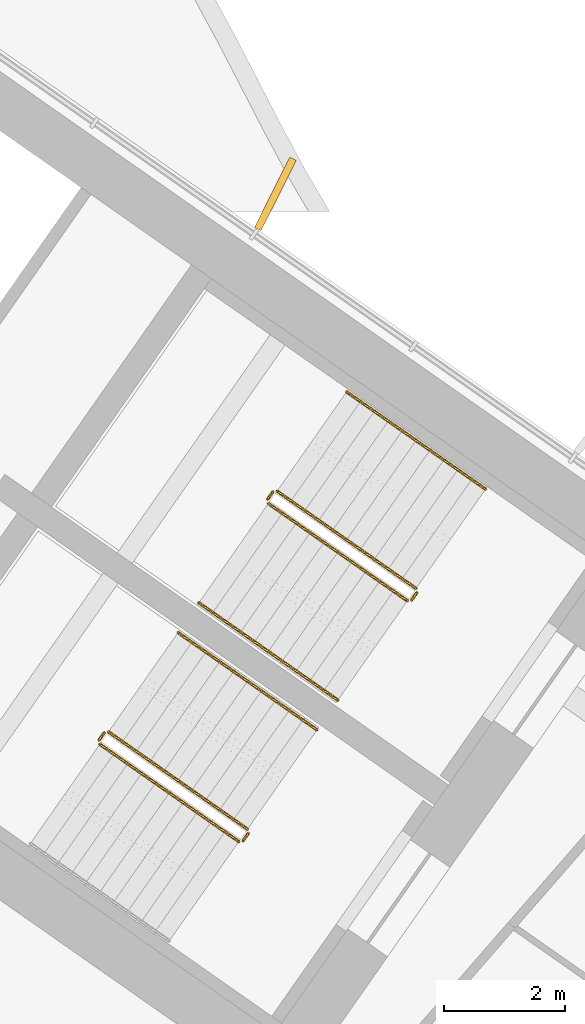
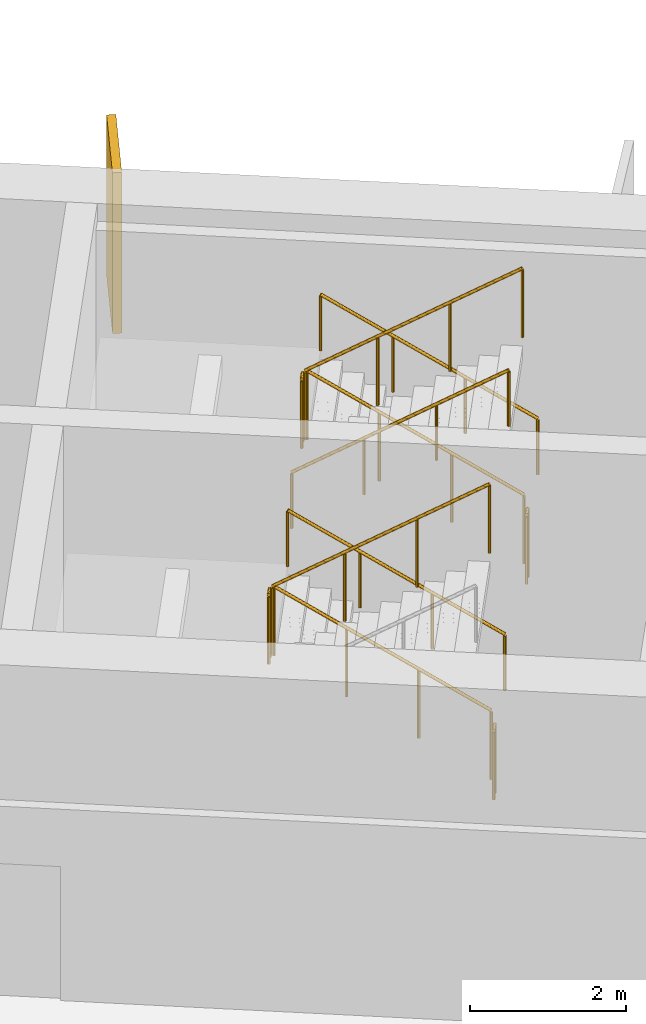
# One storey, part 22 of 23: 11 railings, 1 shading device.
"""IFC4 building model written with IfcOpenShell, lengths in metres."""

from ifc_helpers import new_model, si_unit, direction, frame, origin, origin_2d, place, context, subcontext, project, spatial, rectangle, circle, extrude, material, layer, layer_set, type_object, element, save


model = new_model("IFC4")

# Units and contexts
model_context = context("Model", 3, precision=1e-05, world=origin(), true_north=direction((0.0, 1.0)))
body_context = subcontext(model_context, "Body", "Model", "MODEL_VIEW")
ifc_project = project(units=[si_unit("LENGTHUNIT", "METRE"), si_unit("AREAUNIT", "SQUARE_METRE"), si_unit("VOLUMEUNIT", "CUBIC_METRE"), si_unit("PLANEANGLEUNIT", "RADIAN"), si_unit("MASSUNIT", "GRAM", prefix="KILO")], contexts=[model_context])

# Site, building, storey
site_placement = place(None, origin())
site = spatial("IfcSite", under=ifc_project, at=site_placement, CompositionType="ELEMENT")
building_placement = place(site_placement, origin())
building = spatial("IfcBuilding", under=site, at=building_placement, Name="Tel Ilan Convention Tower", CompositionType="ELEMENT")
storey_placement = place(building_placement, frame((0.0, 0.0, 182.699951171875)))
storey = spatial("IfcBuildingStorey", under=building, at=storey_placement, Name="L42", CompositionType="ELEMENT", Elevation=182.699951171875)

# Shading device
ifc_material_1 = material(Name="Aluminium, bronze anodised", Category="aluminium")
ifc_layer = layer(ifc_material_1, 0.1201171875)
ifc_layer_set = layer_set([ifc_layer], Name="FIN BRONZE 1300x120")
shading_device_type = type_object("IfcShadingDeviceType", Name="FIN BRONZE 1300x120", PredefinedType="USERDEFINED", material=ifc_layer_set)
shading_device_placement = place(storey_placement, frame((21.357421875, -1.34130859375, 1.10009765625), z_axis=(0.0, 0.0, 1.0), x_axis=(0.448799180206, 0.893632640321, 0.0)))
element("IfcShadingDevice", 1, at=shading_device_placement, inside=storey, type_object=shading_device_type, Name="FIN", ObjectType="FIN", PredefinedType="USERDEFINED", context=body_context, shape_type="SweptSolid", body=[
    extrude(rectangle(XDim=1.300048828125, YDim=0.1201171875, at=origin_2d()), origin(), (0.0, 0.0, 1.0), 2.52001953125),
])

# Railings
ifc_material_2 = material(Name="Stainless Steel Grade 316", Category="steel")
railing_type_1 = type_object("IfcRailingType", Name="Stainless Steel Stair Guard 1100 mm", PredefinedType="GUARDRAIL", material=ifc_material_2)
railing_1_placement = place(storey_placement, frame((23.6787109375, -7.8515625, 0.17724609375)))
element("IfcRailing", 2, at=railing_1_placement, inside=storey, type_object=railing_type_1, Name="L42 S3 stair guard 1", PredefinedType="GUARDRAIL", context=body_context, shape_type="SweptSolid", body=[
    extrude(circle(Radius=0.02392578125, at=origin_2d()), frame((0.0, 0.0, 1.076171875), z_axis=(-0.692084706163, 0.484621375041, 0.534940073605), x_axis=(-0.573591086599, -0.819141785879, 0.0)), (0.0, 0.0, 1.0), 3.313720703125),
    extrude(circle(Radius=0.02099609375, at=origin_2d()), origin(), (0.0, 0.0, 1.0), 1.052001953125),
    extrude(circle(Radius=0.02099609375, at=origin_2d()), frame((-0.764404296875, 0.535400390625, 0.5908203125)), (0.0, 0.0, 1.0), 1.052001953125),
    extrude(circle(Radius=0.02099609375, at=origin_2d()), frame((-1.529052734375, 1.070556640625, 1.181884765625)), (0.0, 0.0, 1.0), 1.052001953125),
    extrude(circle(Radius=0.02099609375, at=origin_2d()), frame((-2.29345703125, 1.60595703125, 1.772705078125)), (0.0, 0.0, 1.0), 1.052001953125),
])
railing_2_placement = place(storey_placement, frame((21.3154296875, -6.2578125, 1.949951171875)))
element("IfcRailing", 3, at=railing_2_placement, inside=storey, type_object=railing_type_1, Name="L42 S3 stair guard 2", PredefinedType="GUARDRAIL", context=body_context, shape_type="SweptSolid", body=[
    extrude(circle(Radius=0.02392578125, at=origin_2d()), frame((0.0, 0.0, 1.076171875), z_axis=(-0.573353020881, -0.819308436089, 0.0), x_axis=(0.819308436089, -0.573353020881, 0.0)), (0.0, 0.0, 1.0), 0.14990234375),
    extrude(circle(Radius=0.02099609375, at=origin_2d()), origin(), (0.0, 0.0, 1.0), 1.052001953125),
    extrude(circle(Radius=0.02099609375, at=origin_2d()), frame((-0.0859375, -0.122802734375, 0.0)), (0.0, 0.0, 1.0), 1.052001953125),
])
railing_3_placement = place(storey_placement, frame((21.24169921875, -6.4501953125, 2.12744140625)))
element("IfcRailing", 4, at=railing_3_placement, inside=storey, type_object=railing_type_1, Name="L42 S3 stair guard 3", PredefinedType="GUARDRAIL", context=body_context, shape_type="SweptSolid", body=[
    extrude(circle(Radius=0.02392578125, at=origin_2d()), frame((0.0, 0.0, 1.076171875), z_axis=(0.692098378994, -0.484653031975, 0.534893701956), x_axis=(0.573608623498, 0.819129505664, 0.0)), (0.0, 0.0, 1.0), 3.314208984375),
    extrude(circle(Radius=0.02099609375, at=origin_2d()), origin(), (0.0, 0.0, 1.0), 1.052001953125),
    extrude(circle(Radius=0.02099609375, at=origin_2d()), frame((0.7646484375, -0.535400390625, 0.5908203125)), (0.0, 0.0, 1.0), 1.052001953125),
    extrude(circle(Radius=0.02099609375, at=origin_2d()), frame((1.529052734375, -1.07080078125, 1.181884765625)), (0.0, 0.0, 1.0), 1.052001953125),
    extrude(circle(Radius=0.02099609375, at=origin_2d()), frame((2.293701171875, -1.606201171875, 1.772705078125)), (0.0, 0.0, 1.0), 1.052001953125),
])
railing_4_placement = place(storey_placement, frame((23.691162109375, -7.921142578125, 0.0)))
element("IfcRailing", 5, at=railing_4_placement, inside=storey, type_object=railing_type_1, Name="L42 S3 stair guard 4", PredefinedType="GUARDRAIL", context=body_context, shape_type="SweptSolid", body=[
    extrude(circle(Radius=0.02392578125, at=origin_2d()), frame((0.0, 0.0, 1.076171875), z_axis=(-0.574444878118, -0.818543268254, 0.0), x_axis=(0.818543268254, -0.574444878118, 0.0)), (0.0, 0.0, 1.0), 0.150146484375),
    extrude(circle(Radius=0.02099609375, at=origin_2d()), origin(), (0.0, 0.0, 1.0), 1.052001953125),
    extrude(circle(Radius=0.02099609375, at=origin_2d()), frame((-0.086181640625, -0.122802734375, 0.0)), (0.0, 0.0, 1.0), 1.052001953125),
])
railing_5_placement = place(storey_placement, frame((20.89697265625, -11.824462890625, 0.17724609375)))
element("IfcRailing", 6, at=railing_5_placement, inside=storey, type_object=railing_type_1, Name="L42 S4 stair guard 1", PredefinedType="GUARDRAIL", context=body_context, shape_type="SweptSolid", body=[
    extrude(circle(Radius=0.02392578125, at=origin_2d()), frame((0.0, 0.0, 1.076171875), z_axis=(-0.692123088272, 0.484596665743, 0.534912798717), x_axis=(-0.573550118428, -0.819170471667, 0.0)), (0.0, 0.0, 1.0), 3.31396484375),
    extrude(circle(Radius=0.02099609375, at=origin_2d()), origin(), (0.0, 0.0, 1.0), 1.052001953125),
    extrude(circle(Radius=0.02099609375, at=origin_2d()), frame((-0.7646484375, 0.535400390625, 0.5908203125)), (0.0, 0.0, 1.0), 1.052001953125),
    extrude(circle(Radius=0.02099609375, at=origin_2d()), frame((-1.529052734375, 1.070556640625, 1.181884765625)), (0.0, 0.0, 1.0), 1.052001953125),
    extrude(circle(Radius=0.02099609375, at=origin_2d()), frame((-2.293701171875, 1.60595703125, 1.772705078125)), (0.0, 0.0, 1.0), 1.052001953125),
])
railing_6_placement = place(storey_placement, frame((18.53369140625, -10.230712890625, 1.949951171875)))
element("IfcRailing", 7, at=railing_6_placement, inside=storey, type_object=railing_type_1, Name="L42 S4 stair guard 2", PredefinedType="GUARDRAIL", context=body_context, shape_type="SweptSolid", body=[
    extrude(circle(Radius=0.02392578125, at=origin_2d()), frame((0.0, 0.0, 1.076171875), z_axis=(-0.573353020881, -0.819308436089, 0.0), x_axis=(0.819308436089, -0.573353020881, 0.0)), (0.0, 0.0, 1.0), 0.14990234375),
    extrude(circle(Radius=0.02099609375, at=origin_2d()), origin(), (0.0, 0.0, 1.0), 1.052001953125),
    extrude(circle(Radius=0.02099609375, at=origin_2d()), frame((-0.0859375, -0.122802734375, 0.0)), (0.0, 0.0, 1.0), 1.052001953125),
])
railing_7_placement = place(storey_placement, frame((18.4599609375, -10.423095703125, 2.12744140625)))
element("IfcRailing", 8, at=railing_7_placement, inside=storey, type_object=railing_type_1, Name="L42 S4 stair guard 3", PredefinedType="GUARDRAIL", context=body_context, shape_type="SweptSolid", body=[
    extrude(circle(Radius=0.02392578125, at=origin_2d()), frame((0.0, 0.0, 1.076171875), z_axis=(0.692098378994, -0.484653031975, 0.534893701956), x_axis=(0.573608623498, 0.819129505664, 0.0)), (0.0, 0.0, 1.0), 3.314208984375),
    extrude(circle(Radius=0.02099609375, at=origin_2d()), origin(), (0.0, 0.0, 1.0), 1.052001953125),
    extrude(circle(Radius=0.02099609375, at=origin_2d()), frame((0.7646484375, -0.535400390625, 0.5908203125)), (0.0, 0.0, 1.0), 1.052001953125),
    extrude(circle(Radius=0.02099609375, at=origin_2d()), frame((1.529052734375, -1.07080078125, 1.181884765625)), (0.0, 0.0, 1.0), 1.052001953125),
    extrude(circle(Radius=0.02099609375, at=origin_2d()), frame((2.293701171875, -1.606201171875, 1.772705078125)), (0.0, 0.0, 1.0), 1.052001953125),
])
railing_8_placement = place(storey_placement, frame((20.9091796875, -11.89404296875, 0.0)))
element("IfcRailing", 9, at=railing_8_placement, inside=storey, type_object=railing_type_1, Name="L42 S4 stair guard 4", PredefinedType="GUARDRAIL", context=body_context, shape_type="SweptSolid", body=[
    extrude(circle(Radius=0.02392578125, at=origin_2d()), frame((0.0, 0.0, 1.076171875), z_axis=(-0.573353020881, -0.819308436089, 0.0), x_axis=(0.819308436089, -0.573353020881, 0.0)), (0.0, 0.0, 1.0), 0.14990234375),
    extrude(circle(Radius=0.02099609375, at=origin_2d()), origin(), (0.0, 0.0, 1.0), 1.052001953125),
    extrude(circle(Radius=0.02099609375, at=origin_2d()), frame((-0.0859375, -0.122802734375, 0.0)), (0.0, 0.0, 1.0), 1.052001953125),
])
ifc_material_3 = material(Name="Stainless Steel Grade 316", Category="steel")
railing_type_2 = type_object("IfcRailingType", Name="Stainless Steel Stair Handrail 900 mm", PredefinedType="HANDRAIL", material=ifc_material_3)
railing_9_placement = place(storey_placement, frame((24.825927734375, -6.213134765625, 0.17724609375)))
element("IfcRailing", 10, at=railing_9_placement, inside=storey, type_object=railing_type_2, Name="L42 S3 stair handrail 1", PredefinedType="HANDRAIL", context=body_context, shape_type="SweptSolid", body=[
    extrude(circle(Radius=0.02392578125, at=origin_2d()), frame((0.0, 0.0, 0.8759765625), z_axis=(-0.692123088272, 0.484596665743, 0.534912798717), x_axis=(-0.573550118428, -0.819170471667, 0.0)), (0.0, 0.0, 1.0), 3.31396484375),
    extrude(circle(Radius=0.02099609375, at=origin_2d()), origin(), (0.0, 0.0, 1.0), 0.851806640625),
    extrude(circle(Radius=0.02099609375, at=origin_2d()), frame((-0.7646484375, 0.535400390625, 0.5908203125)), (0.0, 0.0, 1.0), 0.851806640625),
    extrude(circle(Radius=0.02099609375, at=origin_2d()), frame((-1.529052734375, 1.070556640625, 1.181884765625)), (0.0, 0.0, 1.0), 0.851806640625),
    extrude(circle(Radius=0.02099609375, at=origin_2d()), frame((-2.293701171875, 1.60595703125, 1.772705078125)), (0.0, 0.0, 1.0), 0.851806640625),
])
railing_10_placement = place(storey_placement, frame((20.0947265625, -8.088623046875, 2.12744140625)))
element("IfcRailing", 11, at=railing_10_placement, inside=storey, type_object=railing_type_2, Name="L42 S3 stair handrail 2", PredefinedType="HANDRAIL", context=body_context, shape_type="SweptSolid", body=[
    extrude(circle(Radius=0.02392578125, at=origin_2d()), frame((0.0, 0.0, 0.8759765625), z_axis=(0.692084706163, -0.484621375041, 0.534940073605), x_axis=(0.573591086599, 0.819141785879, 0.0)), (0.0, 0.0, 1.0), 3.313720703125),
    extrude(circle(Radius=0.02099609375, at=origin_2d()), origin(), (0.0, 0.0, 1.0), 0.851806640625),
    extrude(circle(Radius=0.02099609375, at=origin_2d()), frame((0.764404296875, -0.535400390625, 0.5908203125)), (0.0, 0.0, 1.0), 0.851806640625),
    extrude(circle(Radius=0.02099609375, at=origin_2d()), frame((1.529052734375, -1.070556640625, 1.181884765625)), (0.0, 0.0, 1.0), 0.851806640625),
    extrude(circle(Radius=0.02099609375, at=origin_2d()), frame((2.29345703125, -1.60595703125, 1.772705078125)), (0.0, 0.0, 1.0), 0.851806640625),
])
railing_11_placement = place(storey_placement, frame((22.044189453125, -10.18603515625, 0.17724609375)))
element("IfcRailing", 12, at=railing_11_placement, inside=storey, type_object=railing_type_2, Name="L42 S4 stair handrail 1", PredefinedType="HANDRAIL", context=body_context, shape_type="SweptSolid", body=[
    extrude(circle(Radius=0.02392578125, at=origin_2d()), frame((0.0, 0.0, 0.8759765625), z_axis=(-0.692123088272, 0.484596665743, 0.534912798717), x_axis=(-0.573550118428, -0.819170471667, 0.0)), (0.0, 0.0, 1.0), 3.31396484375),
    extrude(circle(Radius=0.02099609375, at=origin_2d()), origin(), (0.0, 0.0, 1.0), 0.851806640625),
    extrude(circle(Radius=0.02099609375, at=origin_2d()), frame((-0.7646484375, 0.535400390625, 0.5908203125)), (0.0, 0.0, 1.0), 0.851806640625),
    extrude(circle(Radius=0.02099609375, at=origin_2d()), frame((-1.529052734375, 1.070556640625, 1.181884765625)), (0.0, 0.0, 1.0), 0.851806640625),
    extrude(circle(Radius=0.02099609375, at=origin_2d()), frame((-2.293701171875, 1.60595703125, 1.772705078125)), (0.0, 0.0, 1.0), 0.851806640625),
])

save(model, "model.ifc")
